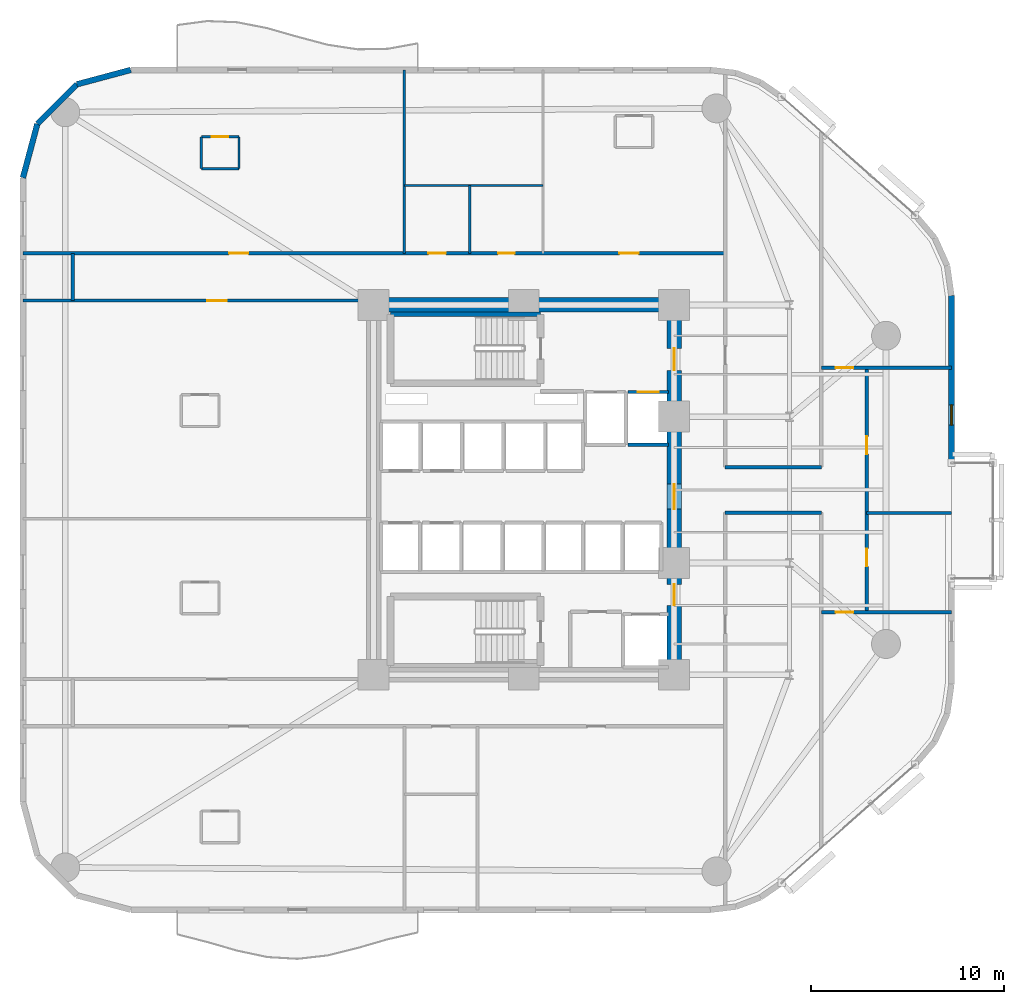
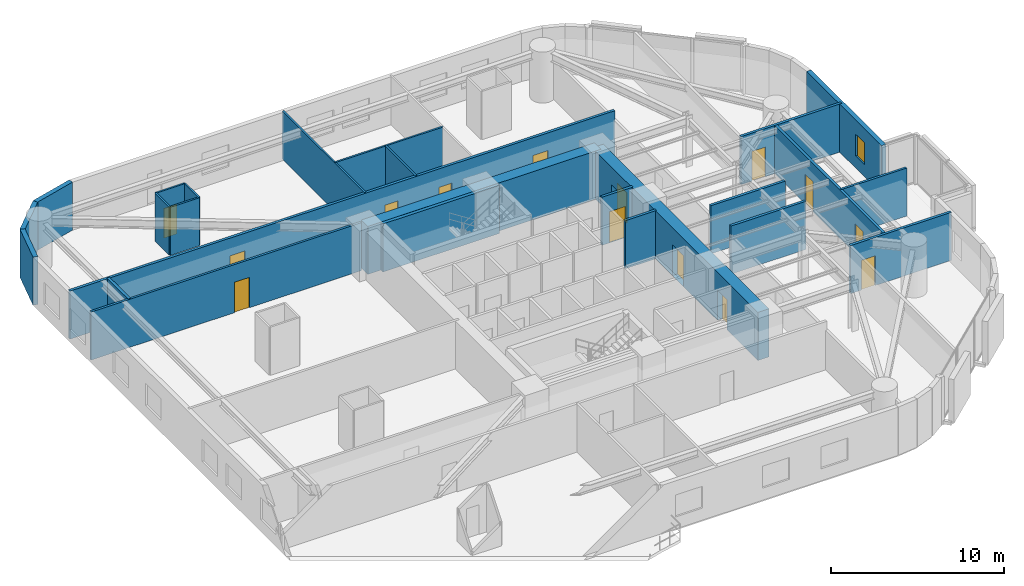
# One storey, part 12 of 16: 25 walls, 14 doors, 1 window, 15 openings.
"""IFC4 building model written with IfcOpenShell, lengths in metres."""

from ifc_helpers import new_model, si_unit, direction, frame, frame_2d, origin, place, context, subcontext, project, spatial, rectangle, extrude, material, layer, layer_set, type_object, element, fill, save


model = new_model("IFC4")

# Units and contexts
model_context = context("Model", 3, precision=1e-05, world=origin(), true_north=direction((0.0, 1.0)))
body_context = subcontext(model_context, "Body", "Model", "MODEL_VIEW")
ifc_project = project(units=[si_unit("LENGTHUNIT", "METRE"), si_unit("AREAUNIT", "SQUARE_METRE"), si_unit("VOLUMEUNIT", "CUBIC_METRE"), si_unit("PLANEANGLEUNIT", "RADIAN"), si_unit("MASSUNIT", "GRAM", prefix="KILO")], contexts=[model_context])

# Site, building, storey
site_placement = place(None, origin())
site = spatial("IfcSite", under=ifc_project, at=site_placement, CompositionType="ELEMENT")
building_placement = place(site_placement, origin())
building = spatial("IfcBuilding", under=site, at=building_placement, Name="An Khanh Terracotta Commons", CompositionType="ELEMENT")
storey_placement = place(building_placement, frame((0.0, 0.0, 57.60009765625)))
storey = spatial("IfcBuildingStorey", under=building, at=storey_placement, Name="L15", CompositionType="ELEMENT", Elevation=57.60009765625)

# Wall
ifc_material_1 = material(Name="Concrete C70/85", Category="concrete")
ifc_layer_1 = layer(ifc_material_1, 0.75, Name="Concrete C70/85")
ifc_layer_set_1 = layer_set([ifc_layer_1], Name="Concrete C70/85")
wall_type_1 = type_object("IfcWallType", Name="WALL-CORE-750", PredefinedType="SHEAR", material=ifc_layer_set_1)
wall_1_placement = place(storey_placement, frame((21.60009765625, 33.60009765625, 0.0), z_axis=(0.0, 0.0, 1.0), x_axis=(1.0, 0.0, 0.0)))
element("IfcWall", 1, at=wall_1_placement, inside=storey, type_object=wall_type_1, Name="L15 Core Wall CWALL-L15-N", PredefinedType="SHEAR", context=body_context, shape_type="SweptSolid", body=[
    extrude(rectangle(XDim=15.599853515625, YDim=0.75, at=frame_2d((7.7998046875, 0.0))), origin(), (0.0, 0.0, 1.0), 3.39990234375),
])

# Wall, openings, doors
wall_2_placement = place(storey_placement, frame((37.199951171875, 14.39990234375, 0.0), z_axis=(0.0, 0.0, 1.0), x_axis=(0.0, 1.0, 0.0)))
wall_2 = element("IfcWall", 2, at=wall_2_placement, inside=storey, type_object=wall_type_1, Name="L15 Core Wall CWALL-L15-E", PredefinedType="SHEAR", context=body_context, shape_type="SweptSolid", body=[
    extrude(rectangle(XDim=19.2001953125, YDim=0.75, at=frame_2d((9.60009765625, 0.0))), origin(), (0.0, 0.0, 1.0), 3.39990234375),
])
opening_1_placement = place(wall_2_placement, frame((15.800048828125, 0.0, 0.0)))
opening_1 = element("IfcOpeningElement", 3, at=opening_1_placement, cuts=wall_2, Name="Opening D-FFL", PredefinedType="OPENING", context=body_context, shape_type="SweptSolid", body=[
    extrude(rectangle(XDim=1.14990234375, YDim=2.14990234375, at=frame_2d((0.574951171875, 1.074951171875))), frame((0.0, 0.385009765625, 0.0), z_axis=(0.0, -1.0, 0.0), x_axis=(1.0, 0.0, 0.0)), (0.0, 0.0, 1.0), 0.77001953125),
])
opening_2_placement = place(wall_2_placement, frame((3.60009765625, 0.0, 0.0)))
opening_2 = element("IfcOpeningElement", 4, at=opening_2_placement, cuts=wall_2, Name="Opening D-ST", PredefinedType="OPENING", context=body_context, shape_type="SweptSolid", body=[
    extrude(rectangle(XDim=1.10009765625, YDim=2.14990234375, at=frame_2d((0.550048828125, 1.074951171875))), frame((0.0, 0.385009765625, 0.0), z_axis=(0.0, -1.0, 0.0), x_axis=(1.0, 0.0, 0.0)), (0.0, 0.0, 1.0), 0.77001953125),
])
opening_3_placement = place(wall_2_placement, frame((8.60009765625, 0.0, 0.0)))
opening_3 = element("IfcOpeningElement", 5, at=opening_3_placement, cuts=wall_2, Name="Opening D-COR", PredefinedType="OPENING", context=body_context, shape_type="SweptSolid", body=[
    extrude(rectangle(XDim=1.300048828125, YDim=2.199951171875, at=frame_2d((0.64990234375, 1.10009765625))), frame((0.0, 0.385009765625, 0.0), z_axis=(0.0, -1.0, 0.0), x_axis=(1.0, 0.0, 0.0)), (0.0, 0.0, 1.0), 0.77001953125),
])
ifc_material_2 = material(Name="Fire-Rated Glazed Steel Double Door", Category="steel")
door_type_1 = type_object("IfcDoorType", Name="DOOR-CORR-1300", OperationType="NOTDEFINED", PredefinedType="DOOR", material=ifc_material_2)
door_1_placement = place(opening_3_placement, origin())
door_1 = element("IfcDoor", 6, at=door_1_placement, inside=storey, type_object=door_type_1, Name="L15 Passenger Lift Lobby Double Door", OperationType="DOUBLE_DOOR_SINGLE_SWING", OverallHeight=2.199951171875, OverallWidth=1.300048828125, PredefinedType="DOOR", context=body_context, shape_type="SweptSolid", body=[
    extrude(rectangle(XDim=1.300048828125, YDim=2.199951171875, at=frame_2d((0.64990234375, 1.10009765625))), frame((0.0, 0.02490234375, 0.0), z_axis=(0.0, -1.0, 0.0), x_axis=(1.0, 0.0, 0.0)), (0.0, 0.0, 1.0), 0.050048828125),
])
fill(opening_3, door_1)
ifc_material_3 = material(Name="Fire-Rated Steel Leaf and Vision Panel", Category="steel")
door_type_2 = type_object("IfcDoorType", Name="DOOR-FFL-1150", OperationType="NOTDEFINED", PredefinedType="DOOR", material=ifc_material_3)
door_2_placement = place(opening_1_placement, origin())
door_2 = element("IfcDoor", 7, at=door_2_placement, inside=storey, type_object=door_type_2, Name="L15 Firefighting Lift Lobby Fire Door", OperationType="SINGLE_SWING_RIGHT", OverallHeight=2.14990234375, OverallWidth=1.14990234375, PredefinedType="DOOR", context=body_context, shape_type="SweptSolid", body=[
    extrude(rectangle(XDim=1.14990234375, YDim=2.14990234375, at=frame_2d((0.574951171875, 1.074951171875))), frame((0.0, 0.02490234375, 0.0), z_axis=(0.0, -1.0, 0.0), x_axis=(1.0, 0.0, 0.0)), (0.0, 0.0, 1.0), 0.050048828125),
])
fill(opening_1, door_2)
ifc_material_4 = material(Name="Fire-Rated Steel Leaf and Frame", Category="steel")
door_type_3 = type_object("IfcDoorType", Name="DOOR-STAIR-1100", OperationType="NOTDEFINED", PredefinedType="DOOR", material=ifc_material_4)
door_3_placement = place(opening_2_placement, origin())
door_3 = element("IfcDoor", 8, at=door_3_placement, inside=storey, type_object=door_type_3, Name="L15 South Stair Lobby Fire Door", OperationType="SINGLE_SWING_LEFT", OverallHeight=2.14990234375, OverallWidth=1.10009765625, PredefinedType="DOOR", context=body_context, shape_type="SweptSolid", body=[
    extrude(rectangle(XDim=1.10009765625, YDim=2.14990234375, at=frame_2d((0.550048828125, 1.074951171875))), frame((0.0, 0.02490234375, 0.0), z_axis=(0.0, -1.0, 0.0), x_axis=(1.0, 0.0, 0.0)), (0.0, 0.0, 1.0), 0.050048828125),
])
fill(opening_2, door_3)

# Wall, opening, door
ifc_material_5 = material(Name="Fire-Rated Gypsum Board on Steel Stud", Category="steel")
ifc_layer_2 = layer(ifc_material_5, 0.179931640625, Name="Fire-Rated Gypsum Board on Steel Stud")
ifc_layer_set_2 = layer_set([ifc_layer_2], Name="Fire-Rated Gypsum Board on Steel Stud")
wall_type_2 = type_object("IfcWallType", Name="WALL-CORR-180", PredefinedType="PARTITIONING", material=ifc_layer_set_2)
wall_3_placement = place(storey_placement, frame((34.820068359375, 29.080078125, 0.0), z_axis=(0.0, 0.0, 1.0), x_axis=(1.0, 0.0, 0.0)))
wall_3 = element("IfcWall", 9, at=wall_3_placement, inside=storey, type_object=wall_type_2, Name="L15 Core Wall LSH-L15-FFL-02-N", PredefinedType="PARTITIONING", context=body_context, shape_type="SweptSolid", body=[
    extrude(rectangle(XDim=2.079833984375, YDim=0.179931640625, at=frame_2d((1.0400390625, 0.0))), origin(), (0.0, 0.0, 1.0), 3.39990234375),
])
opening_4_placement = place(wall_3_placement, frame((0.489990234375, 0.0, 0.0)))
opening_4 = element("IfcOpeningElement", 10, at=opening_4_placement, cuts=wall_3, Name="Opening LD-FFL-02-L15", PredefinedType="OPENING", context=body_context, shape_type="SweptSolid", body=[
    extrude(rectangle(XDim=1.10009765625, YDim=2.199951171875, at=frame_2d((0.550048828125, 1.10009765625))), frame((0.0, 0.099853515625, 0.0), z_axis=(0.0, -1.0, 0.0), x_axis=(1.0, 0.0, 0.0)), (0.0, 0.0, 1.0), 0.199951171875),
])
ifc_material_6 = material(Name="Brushed Stainless Steel Fire Landing Door", Category="steel")
door_type_4 = type_object("IfcDoorType", Name="DOOR-LD-FFL-1100", OperationType="NOTDEFINED", PredefinedType="DOOR", material=ifc_material_6)
door_4_placement = place(opening_4_placement, origin())
door_4 = element("IfcDoor", 11, at=door_4_placement, inside=storey, type_object=door_type_4, Name="L15 Lift FFL-02 Sliding Landing Door", OperationType="DOUBLE_DOOR_SLIDING", OverallHeight=2.199951171875, OverallWidth=1.10009765625, PredefinedType="DOOR", context=body_context, shape_type="SweptSolid", body=[
    extrude(rectangle(XDim=1.10009765625, YDim=2.199951171875, at=frame_2d((0.550048828125, 1.10009765625))), frame((0.0, 0.02490234375, 0.0), z_axis=(0.0, -1.0, 0.0), x_axis=(1.0, 0.0, 0.0)), (0.0, 0.0, 1.0), 0.050048828125),
])
fill(opening_4, door_4)

# Wall
wall_4_placement = place(storey_placement, frame((36.89990234375, 26.35009765625, 0.0), z_axis=(0.0, 0.0, 1.0), x_axis=(-1.0, 0.0, 0.0)))
element("IfcWall", 12, at=wall_4_placement, inside=storey, type_object=wall_type_2, Name="L15 Core Wall LSH-L15-FFL-02-S", PredefinedType="PARTITIONING", context=body_context, shape_type="SweptSolid", body=[
    extrude(rectangle(XDim=2.079833984375, YDim=0.179931640625, at=frame_2d((1.0400390625, 0.0))), origin(), (0.0, 0.0, 1.0), 3.39990234375),
])

# Wall, opening, door
wall_5_placement = place(storey_placement, frame((44.85009765625, 17.64990234375, 0.0), z_axis=(0.0, 0.0, 1.0), x_axis=(1.0, 0.0, 0.0)))
wall_5 = element("IfcWall", 13, at=wall_5_placement, inside=storey, type_object=wall_type_2, Name="L15 Interior Partition IW-L15-E004", PredefinedType="PARTITIONING", context=body_context, shape_type="SweptSolid", body=[
    extrude(rectangle(XDim=6.75, YDim=0.179931640625, at=frame_2d((3.375, 0.0))), origin(), (0.0, 0.0, 1.0), 3.39990234375),
])
opening_5_placement = place(wall_5_placement, frame((0.73291015625, 0.0, 0.0)))
opening_5 = element("IfcOpeningElement", 14, at=opening_5_placement, cuts=wall_5, Name="Opening D-RM", PredefinedType="OPENING", context=body_context, shape_type="SweptSolid", body=[
    extrude(rectangle(XDim=0.919921875, YDim=2.10009765625, at=frame_2d((0.4599609375, 1.050048828125))), frame((0.0, 0.099853515625, 0.0), z_axis=(0.0, -1.0, 0.0), x_axis=(1.0, 0.0, 0.0)), (0.0, 0.0, 1.0), 0.199951171875),
])
ifc_material_7 = material(Name="Engineered Hardwood Timber Leaf", Category="wood")
door_type_5 = type_object("IfcDoorType", Name="DOOR-INT-920", OperationType="NOTDEFINED", PredefinedType="DOOR", material=ifc_material_7)
door_5_placement = place(opening_5_placement, origin())
door_5 = element("IfcDoor", 15, at=door_5_placement, inside=storey, type_object=door_type_5, Name="L15 CAPS Academic Seminar Room Door", OperationType="SINGLE_SWING_RIGHT", OverallHeight=2.10009765625, OverallWidth=0.919921875, PredefinedType="DOOR", context=body_context, shape_type="SweptSolid", body=[
    extrude(rectangle(XDim=0.919921875, YDim=2.10009765625, at=frame_2d((0.4599609375, 1.050048828125))), frame((0.0, 0.02490234375, 0.0), z_axis=(0.0, -1.0, 0.0), x_axis=(1.0, 0.0, 0.0)), (0.0, 0.0, 1.0), 0.050048828125),
])
fill(opening_5, door_5)

# Walls
for number, where, z_axis, x_axis, name in (
    (16, (39.85009765625, 22.820068359375, 0.0), (0.0, 0.0, 1.0), (1.0, 0.0, 0.0), "L15 Interior Partition IW-L15-E006"),
    (17, (39.85009765625, 25.179931640625, 0.0), (0.0, 0.0, 1.0), (1.0, 0.0, 0.0), "L15 Interior Partition IW-L15-E008"),
):
    element("IfcWall", number, at=place(storey_placement, frame(where, z_axis=z_axis, x_axis=x_axis)), inside=storey, type_object=wall_type_2, Name=name, PredefinedType="PARTITIONING", context=body_context, shape_type="SweptSolid", body=[
        extrude(rectangle(XDim=5.0, YDim=0.179931640625, at=frame_2d((2.5, 0.0))), origin(), (0.0, 0.0, 1.0), 3.39990234375),
    ])

# Wall, opening, door
wall_6_placement = place(storey_placement, frame((44.85009765625, 30.35009765625, 0.0), z_axis=(0.0, 0.0, 1.0), x_axis=(1.0, 0.0, 0.0)))
wall_6 = element("IfcWall", 18, at=wall_6_placement, inside=storey, type_object=wall_type_2, Name="L15 Interior Partition IW-L15-E009", PredefinedType="PARTITIONING", context=body_context, shape_type="SweptSolid", body=[
    extrude(rectangle(XDim=6.75, YDim=0.179931640625, at=frame_2d((3.375, 0.0))), origin(), (0.0, 0.0, 1.0), 3.39990234375),
])
opening_6_placement = place(wall_6_placement, frame((0.73291015625, 0.0, 0.0)))
opening_6 = element("IfcOpeningElement", 19, at=opening_6_placement, cuts=wall_6, Name="Opening D-RM", PredefinedType="OPENING", context=body_context, shape_type="SweptSolid", body=[
    extrude(rectangle(XDim=0.919921875, YDim=2.10009765625, at=frame_2d((0.4599609375, 1.050048828125))), frame((0.0, 0.099853515625, 0.0), z_axis=(0.0, -1.0, 0.0), x_axis=(1.0, 0.0, 0.0)), (0.0, 0.0, 1.0), 0.199951171875),
])
door_6_placement = place(opening_6_placement, origin())
door_6 = element("IfcDoor", 20, at=door_6_placement, inside=storey, type_object=door_type_5, Name="L15 CAPN Academic Seminar Room Door", OperationType="SINGLE_SWING_LEFT", OverallHeight=2.10009765625, OverallWidth=0.919921875, PredefinedType="DOOR", context=body_context, shape_type="SweptSolid", body=[
    extrude(rectangle(XDim=0.919921875, YDim=2.10009765625, at=frame_2d((0.4599609375, 1.050048828125))), frame((0.0, 0.02490234375, 0.0), z_axis=(0.0, -1.0, 0.0), x_axis=(1.0, 0.0, 0.0)), (0.0, 0.0, 1.0), 0.050048828125),
])
fill(opening_6, door_6)

# Wall, openings, doors
wall_7_placement = place(storey_placement, frame((3.39990234375, 36.280029296875, 0.0), z_axis=(0.0, 0.0, 1.0), x_axis=(1.0, 0.0, 0.0)))
wall_7 = element("IfcWall", 21, at=wall_7_placement, inside=storey, type_object=wall_type_2, Name="L15 Interior Partition IW-L15-E011", PredefinedType="PARTITIONING", context=body_context, shape_type="SweptSolid", body=[
    extrude(rectangle(XDim=36.4501953125, YDim=0.179931640625, at=frame_2d((18.22509765625, 0.0))), origin(), (0.0, 0.0, 1.0), 3.39990234375),
])
opening_7_placement = place(wall_7_placement, frame((21.050048828125, 0.0, 0.0)))
opening_7 = element("IfcOpeningElement", 22, at=opening_7_placement, cuts=wall_7, Name="Opening D-WC", PredefinedType="OPENING", context=body_context, shape_type="SweptSolid", body=[
    extrude(rectangle(XDim=0.89990234375, YDim=2.10009765625, at=frame_2d((0.449951171875, 1.050048828125))), frame((0.0, 0.099853515625, 0.0), z_axis=(0.0, -1.0, 0.0), x_axis=(1.0, 0.0, 0.0)), (0.0, 0.0, 1.0), 0.199951171875),
])
opening_8_placement = place(wall_7_placement, frame((24.669921875, 0.0, 0.0)))
opening_8 = element("IfcOpeningElement", 23, at=opening_8_placement, cuts=wall_7, Name="Opening D-ENS", PredefinedType="OPENING", context=body_context, shape_type="SweptSolid", body=[
    extrude(rectangle(XDim=0.860107421875, YDim=2.10009765625, at=frame_2d((0.43017578125, 1.050048828125))), frame((0.0, 0.099853515625, 0.0), z_axis=(0.0, -1.0, 0.0), x_axis=(1.0, 0.0, 0.0)), (0.0, 0.0, 1.0), 0.199951171875),
])
opening_9_placement = place(wall_7_placement, frame((10.699951171875, 0.0, 0.0)))
opening_9 = element("IfcOpeningElement", 24, at=opening_9_placement, cuts=wall_7, Name="Opening D-UN", PredefinedType="OPENING", context=body_context, shape_type="SweptSolid", body=[
    extrude(rectangle(XDim=1.0, YDim=2.14990234375, at=frame_2d((0.5, 1.074951171875))), frame((0.0, 0.099853515625, 0.0), z_axis=(0.0, -1.0, 0.0), x_axis=(1.0, 0.0, 0.0)), (0.0, 0.0, 1.0), 0.199951171875),
])
opening_10_placement = place(wall_7_placement, frame((30.965087890625, 0.0, 0.0)))
opening_10 = element("IfcOpeningElement", 25, at=opening_10_placement, cuts=wall_7, Name="Opening D-UN", PredefinedType="OPENING", context=body_context, shape_type="SweptSolid", body=[
    extrude(rectangle(XDim=1.0, YDim=2.14990234375, at=frame_2d((0.5, 1.074951171875))), frame((0.0, 0.099853515625, 0.0), z_axis=(0.0, -1.0, 0.0), x_axis=(1.0, 0.0, 0.0)), (0.0, 0.0, 1.0), 0.199951171875),
])
ifc_material_8 = material(Name="Moisture-Resistant Hardwood Timber Leaf", Category="wood")
door_type_6 = type_object("IfcDoorType", Name="DOOR-BATH-860", OperationType="NOTDEFINED", PredefinedType="DOOR", material=ifc_material_8)
door_7_placement = place(opening_8_placement, origin())
door_7 = element("IfcDoor", 26, at=door_7_placement, inside=storey, type_object=door_type_6, Name="L15 SHW Resident Shared Shower and Washroom Door", OperationType="SINGLE_SWING_LEFT", OverallHeight=2.10009765625, OverallWidth=0.860107421875, PredefinedType="DOOR", context=body_context, shape_type="SweptSolid", body=[
    extrude(rectangle(XDim=0.860107421875, YDim=2.10009765625, at=frame_2d((0.43017578125, 1.050048828125))), frame((0.0, 0.02490234375, 0.0), z_axis=(0.0, -1.0, 0.0), x_axis=(1.0, 0.0, 0.0)), (0.0, 0.0, 1.0), 0.050048828125),
])
fill(opening_8, door_7)
ifc_material_9 = material(Name="Solid-Core Hardwood Acoustic Fire Door", Category="wood")
door_type_7 = type_object("IfcDoorType", Name="DOOR-UNIT-1000", OperationType="NOTDEFINED", PredefinedType="DOOR", material=ifc_material_9)
door_8_placement = place(opening_9_placement, origin())
door_8 = element("IfcDoor", 27, at=door_8_placement, inside=storey, type_object=door_type_7, Name="L15 NW1 Kitchenette and Studio Apartment Door", OperationType="SINGLE_SWING_LEFT", OverallHeight=2.14990234375, OverallWidth=1.0, PredefinedType="DOOR", context=body_context, shape_type="SweptSolid", body=[
    extrude(rectangle(XDim=1.0, YDim=2.14990234375, at=frame_2d((0.5, 1.074951171875))), frame((0.0, 0.02490234375, 0.0), z_axis=(0.0, -1.0, 0.0), x_axis=(1.0, 0.0, 0.0)), (0.0, 0.0, 1.0), 0.050048828125),
])
fill(opening_9, door_8)
door_9_placement = place(opening_10_placement, origin())
door_9 = element("IfcDoor", 28, at=door_9_placement, inside=storey, type_object=door_type_7, Name="L15 NWE Kitchenette and Studio Apartment Door", OperationType="SINGLE_SWING_RIGHT", OverallHeight=2.14990234375, OverallWidth=1.0, PredefinedType="DOOR", context=body_context, shape_type="SweptSolid", body=[
    extrude(rectangle(XDim=1.0, YDim=2.14990234375, at=frame_2d((0.5, 1.074951171875))), frame((0.0, 0.02490234375, 0.0), z_axis=(0.0, -1.0, 0.0), x_axis=(1.0, 0.0, 0.0)), (0.0, 0.0, 1.0), 0.050048828125),
])
fill(opening_10, door_9)
ifc_material_10 = material(Name="Laminate Moisture-Resistant Timber Leaf", Category="wood")
door_type_8 = type_object("IfcDoorType", Name="DOOR-WC-900", OperationType="NOTDEFINED", PredefinedType="DOOR", material=ifc_material_10)
door_10_placement = place(opening_7_placement, origin())
door_10 = element("IfcDoor", 29, at=door_10_placement, inside=storey, type_object=door_type_8, Name="L15 AWC Accessible WC Door", OperationType="SINGLE_SWING_RIGHT", OverallHeight=2.10009765625, OverallWidth=0.89990234375, PredefinedType="DOOR", context=body_context, shape_type="SweptSolid", body=[
    extrude(rectangle(XDim=0.89990234375, YDim=2.10009765625, at=frame_2d((0.449951171875, 1.050048828125))), frame((0.0, 0.02490234375, 0.0), z_axis=(0.0, -1.0, 0.0), x_axis=(1.0, 0.0, 0.0)), (0.0, 0.0, 1.0), 0.050048828125),
])
fill(opening_7, door_10)

# Wall
wall_8_placement = place(storey_placement, frame((6.0, 33.820068359375, 0.0), z_axis=(0.0, 0.0, 1.0), x_axis=(0.0, 1.0, 0.0)))
element("IfcWall", 30, at=wall_8_placement, inside=storey, type_object=wall_type_2, Name="L15 Interior Partition IW-L15-E014", PredefinedType="PARTITIONING", context=body_context, shape_type="SweptSolid", body=[
    extrude(rectangle(XDim=2.4599609375, YDim=0.179931640625, at=frame_2d((1.22998046875, 0.0))), origin(), (0.0, 0.0, 1.0), 3.39990234375),
])

# Wall, openings, doors
wall_9_placement = place(storey_placement, frame((47.199951171875, 17.64990234375, 0.0), z_axis=(0.0, 0.0, 1.0), x_axis=(0.0, 1.0, 0.0)))
wall_9 = element("IfcWall", 31, at=wall_9_placement, inside=storey, type_object=wall_type_2, Name="L15 Interior Partition IW-L15-E024", PredefinedType="PARTITIONING", context=body_context, shape_type="SweptSolid", body=[
    extrude(rectangle(XDim=12.7001953125, YDim=0.179931640625, at=frame_2d((6.35009765625, 0.0))), origin(), (0.0, 0.0, 1.0), 3.39990234375),
])
opening_11_placement = place(wall_9_placement, frame((8.205078125, 0.0, 0.0)))
opening_11 = element("IfcOpeningElement", 32, at=opening_11_placement, cuts=wall_9, Name="Opening D-RM", PredefinedType="OPENING", context=body_context, shape_type="SweptSolid", body=[
    extrude(rectangle(XDim=0.919921875, YDim=2.10009765625, at=frame_2d((0.4599609375, 1.050048828125))), frame((0.0, 0.099853515625, 0.0), z_axis=(0.0, -1.0, 0.0), x_axis=(1.0, 0.0, 0.0)), (0.0, 0.0, 1.0), 0.199951171875),
])
opening_12_placement = place(wall_9_placement, frame((2.375, 0.0, 0.0)))
opening_12 = element("IfcOpeningElement", 33, at=opening_12_placement, cuts=wall_9, Name="Opening D-RM", PredefinedType="OPENING", context=body_context, shape_type="SweptSolid", body=[
    extrude(rectangle(XDim=0.919921875, YDim=2.10009765625, at=frame_2d((0.4599609375, 1.050048828125))), frame((0.0, 0.099853515625, 0.0), z_axis=(0.0, -1.0, 0.0), x_axis=(1.0, 0.0, 0.0)), (0.0, 0.0, 1.0), 0.199951171875),
])
door_11_placement = place(opening_11_placement, origin())
door_11 = element("IfcDoor", 34, at=door_11_placement, inside=storey, type_object=door_type_5, Name="L15 EF1 Quiet Focus Office Door", OperationType="SINGLE_SWING_LEFT", OverallHeight=2.10009765625, OverallWidth=0.919921875, PredefinedType="DOOR", context=body_context, shape_type="SweptSolid", body=[
    extrude(rectangle(XDim=0.919921875, YDim=2.10009765625, at=frame_2d((0.4599609375, 1.050048828125))), frame((0.0, 0.02490234375, 0.0), z_axis=(0.0, -1.0, 0.0), x_axis=(1.0, 0.0, 0.0)), (0.0, 0.0, 1.0), 0.050048828125),
])
fill(opening_11, door_11)
door_12_placement = place(opening_12_placement, origin())
door_12 = element("IfcDoor", 35, at=door_12_placement, inside=storey, type_object=door_type_5, Name="L15 EF2 Riverfront Study Lounge Door", OperationType="SINGLE_SWING_RIGHT", OverallHeight=2.10009765625, OverallWidth=0.919921875, PredefinedType="DOOR", context=body_context, shape_type="SweptSolid", body=[
    extrude(rectangle(XDim=0.919921875, YDim=2.10009765625, at=frame_2d((0.4599609375, 1.050048828125))), frame((0.0, 0.02490234375, 0.0), z_axis=(0.0, -1.0, 0.0), x_axis=(1.0, 0.0, 0.0)), (0.0, 0.0, 1.0), 0.050048828125),
])
fill(opening_12, door_12)

# Wall, opening, window
ifc_material_11 = material(Name="Precast concrete C40/50", Category="concrete")
ifc_layer_3 = layer(ifc_material_11, 0.300048828125, Name="Precast concrete C40/50")
ifc_layer_set_3 = layer_set([ifc_layer_3], Name="Precast concrete C40/50")
wall_type_3 = type_object("IfcWallType", Name="WALL-EXT-300", PredefinedType="SOLIDWALL", material=ifc_layer_set_3)
wall_10_placement = place(storey_placement, frame((51.60009765625, 25.39990234375, 0.0), z_axis=(0.0, 0.0, 1.0), x_axis=(0.0, 1.0, 0.0)))
wall_10 = element("IfcWall", 36, at=wall_10_placement, inside=storey, type_object=wall_type_3, Name="L15 East Nose Wall North", PredefinedType="SOLIDWALL", context=body_context, shape_type="SweptSolid", body=[
    extrude(rectangle(XDim=8.677001953125, YDim=0.300048828125, at=frame_2d((4.33837890625, 0.0))), origin(), (0.0, 0.0, 1.0), 3.39990234375),
])
opening_13_placement = place(wall_10_placement, frame((1.964111328125, 0.0, 0.85009765625)))
opening_13 = element("IfcOpeningElement", 37, at=opening_13_placement, cuts=wall_10, Name="Opening W-06", PredefinedType="OPENING", context=body_context, shape_type="SweptSolid", body=[
    extrude(rectangle(XDim=1.050048828125, YDim=1.550048828125, at=frame_2d((0.52490234375, 0.77490234375))), frame((0.0, 0.159912109375, 0.0), z_axis=(0.0, -1.0, 0.0), x_axis=(1.0, 0.0, 0.0)), (0.0, 0.0, 1.0), 0.320068359375),
])
ifc_material_12 = material(Name="Thermally Broken Aluminium and Low-E Glass", Category="aluminium")
window_type = type_object("IfcWindowType", Name="WIN-COR-1050x1550", PartitioningType="SINGLE_PANEL", PredefinedType="WINDOW", material=ifc_material_12)
window_placement = place(opening_13_placement, origin())
window = element("IfcWindow", 38, at=window_placement, inside=storey, type_object=window_type, Name="L15 East Nose North Casement Window", OverallHeight=1.550048828125, OverallWidth=1.050048828125, PartitioningType="SINGLE_PANEL", PredefinedType="WINDOW", context=body_context, shape_type="SweptSolid", body=[
    extrude(rectangle(XDim=1.050048828125, YDim=1.550048828125, at=frame_2d((0.52490234375, 0.77490234375))), frame((0.0, 0.030029296875, 0.0), z_axis=(0.0, -1.0, 0.0), x_axis=(1.0, 0.0, 0.0)), (0.0, 0.0, 1.0), 0.06005859375),
])
fill(opening_13, window)

# Walls
wall_11_placement = place(storey_placement, frame((9.0, 45.800048828125, 0.0), z_axis=(0.0, 0.0, 1.0), x_axis=(-0.96594917914, -0.258731875344, 0.0)))
element("IfcWall", 39, at=wall_11_placement, inside=storey, type_object=wall_type_3, Name="L15 Insulated Terracotta Exterior Wall 21", PredefinedType="SOLIDWALL", context=body_context, shape_type="SweptSolid", body=[
    extrude(rectangle(XDim=2.898681640625, YDim=0.300048828125, at=frame_2d((1.44921875, 0.0))), origin(), (0.0, 0.0, 1.0), 3.39990234375),
])
wall_12_placement = place(storey_placement, frame((6.199951171875, 45.050048828125, 0.0), z_axis=(0.0, 0.0, 1.0), x_axis=(-0.707106781187, -0.707106781187, 0.0)))
element("IfcWall", 40, at=wall_12_placement, inside=storey, type_object=wall_type_3, Name="L15 Insulated Terracotta Exterior Wall 22", PredefinedType="SOLIDWALL", context=body_context, shape_type="SweptSolid", body=[
    extrude(rectangle(XDim=2.899169921875, YDim=0.300048828125, at=frame_2d((1.44970703125, 0.0))), origin(), (0.0, 0.0, 1.0), 3.39990234375),
])
wall_13_placement = place(storey_placement, frame((4.14990234375, 43.0, 0.0), z_axis=(0.0, 0.0, 1.0), x_axis=(-0.258731875344, -0.96594917914, 0.0)))
element("IfcWall", 41, at=wall_13_placement, inside=storey, type_object=wall_type_3, Name="L15 Insulated Terracotta Exterior Wall 23", PredefinedType="SOLIDWALL", context=body_context, shape_type="SweptSolid", body=[
    extrude(rectangle(XDim=2.898681640625, YDim=0.300048828125, at=frame_2d((1.44921875, 0.0))), origin(), (0.0, 0.0, 1.0), 3.39990234375),
])
ifc_material_13 = material(Name="Acoustic Gypsum Board Partition")
ifc_layer_4 = layer(ifc_material_13, 0.14990234375, Name="Acoustic Gypsum Board Partition")
ifc_layer_set_4 = layer_set([ifc_layer_4], Name="Acoustic Gypsum Board Partition")
wall_type_4 = type_object("IfcWallType", Name="WALL-PART-150", PredefinedType="PARTITIONING", material=ifc_layer_set_4)
wall_14_placement = place(storey_placement, frame((47.199951171875, 22.800048828125, 0.0), z_axis=(0.0, 0.0, 1.0), x_axis=(1.0, 0.0, 0.0)))
element("IfcWall", 42, at=wall_14_placement, inside=storey, type_object=wall_type_4, Name="L15 Interior Partition IW-L15-E007", PredefinedType="PARTITIONING", context=body_context, shape_type="SweptSolid", body=[
    extrude(rectangle(XDim=4.400146484375, YDim=0.14990234375, at=frame_2d((2.2001953125, 0.0))), origin(), (0.0, 0.0, 1.0), 3.39990234375),
])

# Wall, opening, door
wall_15_placement = place(storey_placement, frame((3.39990234375, 33.820068359375, 0.0), z_axis=(0.0, 0.0, 1.0), x_axis=(1.0, 0.0, 0.0)))
wall_15 = element("IfcWall", 43, at=wall_15_placement, inside=storey, type_object=wall_type_4, Name="L15 Interior Partition IW-L15-E010", PredefinedType="PARTITIONING", context=body_context, shape_type="SweptSolid", body=[
    extrude(rectangle(XDim=18.080078125, YDim=0.14990234375, at=frame_2d((9.0400390625, 0.0))), origin(), (0.0, 0.0, 1.0), 3.39990234375),
])
opening_14_placement = place(wall_15_placement, frame((9.580078125, 0.0, 0.0)))
opening_14 = element("IfcOpeningElement", 44, at=opening_14_placement, cuts=wall_15, Name="Opening D-UN", PredefinedType="OPENING", context=body_context, shape_type="SweptSolid", body=[
    extrude(rectangle(XDim=1.0, YDim=2.14990234375, at=frame_2d((0.5, 1.074951171875))), frame((0.0, 0.0849609375, 0.0), z_axis=(0.0, -1.0, 0.0), x_axis=(1.0, 0.0, 0.0)), (0.0, 0.0, 1.0), 0.169921875),
])
door_13_placement = place(opening_14_placement, origin())
door_13 = element("IfcDoor", 45, at=door_13_placement, inside=storey, type_object=door_type_7, Name="L15 WW2 Kitchenette and Studio Apartment Door", OperationType="SINGLE_SWING_RIGHT", OverallHeight=2.14990234375, OverallWidth=1.0, PredefinedType="DOOR", context=body_context, shape_type="SweptSolid", body=[
    extrude(rectangle(XDim=1.0, YDim=2.14990234375, at=frame_2d((0.5, 1.074951171875))), frame((0.0, 0.02490234375, 0.0), z_axis=(0.0, -1.0, 0.0), x_axis=(1.0, 0.0, 0.0)), (0.0, 0.0, 1.0), 0.050048828125),
])
fill(opening_14, door_13)

# Wall
ifc_material_14 = material(Name="Acoustic Double-Stud Gypsum and Mineral Wool")
ifc_layer_5 = layer(ifc_material_14, 0.219970703125, Name="Acoustic Double-Stud Gypsum and Mineral Wool")
ifc_layer_set_5 = layer_set([ifc_layer_5], Name="Acoustic Double-Stud Gypsum and Mineral Wool")
wall_type_5 = type_object("IfcWallType", Name="WALL-PARTY-220", PredefinedType="PARTITIONING", material=ifc_layer_set_5)
wall_16_placement = place(storey_placement, frame((22.47998046875, 33.110107421875, 0.0), z_axis=(0.0, 0.0, 1.0), x_axis=(1.0, 0.0, 0.0)))
element("IfcWall", 46, at=wall_16_placement, inside=storey, type_object=wall_type_5, Name="L15 Core Wall STW-L15-N-N", PredefinedType="PARTITIONING", context=body_context, shape_type="SweptSolid", body=[
    extrude(rectangle(XDim=7.7900390625, YDim=0.219970703125, at=frame_2d((3.89501953125, 0.0))), origin(), (0.0, 0.0, 1.0), 3.39990234375),
])

# Wall, opening, door
ifc_material_15 = material(Name="Moisture-Resistant Cement Board Partition")
ifc_layer_6 = layer(ifc_material_15, 0.1201171875, Name="Moisture-Resistant Cement Board Partition")
ifc_layer_set_6 = layer_set([ifc_layer_6], Name="Moisture-Resistant Cement Board Partition")
wall_type_6 = type_object("IfcWallType", Name="WALL-WET-120", PredefinedType="PARTITIONING", material=ifc_layer_set_6)
wall_17_placement = place(storey_placement, frame((12.6640625, 42.321044921875, 0.0), z_axis=(0.0, 0.0, 1.0), x_axis=(1.0, 0.0, 0.0)))
wall_17 = element("IfcWall", 47, at=wall_17_placement, inside=storey, type_object=wall_type_6, Name="L15 Interior Partition IW-L15-NW1-BN", PredefinedType="PARTITIONING", context=body_context, shape_type="SweptSolid", body=[
    extrude(rectangle(XDim=1.949951171875, YDim=0.1201171875, at=frame_2d((0.97509765625, 0.0))), origin(), (0.0, 0.0, 1.0), 3.39990234375),
])
opening_15_placement = place(wall_17_placement, frame((0.544921875, 0.0, 0.0)))
opening_15 = element("IfcOpeningElement", 48, at=opening_15_placement, cuts=wall_17, Name="Opening D-ENS", PredefinedType="OPENING", context=body_context, shape_type="SweptSolid", body=[
    extrude(rectangle(XDim=0.860107421875, YDim=2.10009765625, at=frame_2d((0.43017578125, 1.050048828125))), frame((0.0, 0.070068359375, 0.0), z_axis=(0.0, -1.0, 0.0), x_axis=(1.0, 0.0, 0.0)), (0.0, 0.0, 1.0), 0.14013671875),
])
door_14_placement = place(opening_15_placement, origin())
door_14 = element("IfcDoor", 49, at=door_14_placement, inside=storey, type_object=door_type_6, Name="L15 Studio NW1 En-suite Door", OperationType="SINGLE_SWING_LEFT", OverallHeight=2.10009765625, OverallWidth=0.860107421875, PredefinedType="DOOR", context=body_context, shape_type="SweptSolid", body=[
    extrude(rectangle(XDim=0.860107421875, YDim=2.10009765625, at=frame_2d((0.43017578125, 1.050048828125))), frame((0.0, 0.02490234375, 0.0), z_axis=(0.0, -1.0, 0.0), x_axis=(1.0, 0.0, 0.0)), (0.0, 0.0, 1.0), 0.050048828125),
])
fill(opening_15, door_14)

# Walls
wall_18_placement = place(storey_placement, frame((14.614013671875, 40.6708984375, 0.0), z_axis=(0.0, 0.0, 1.0), x_axis=(-1.0, 0.0, 0.0)))
element("IfcWall", 50, at=wall_18_placement, inside=storey, type_object=wall_type_6, Name="L15 Interior Partition IW-L15-NW1-BS", PredefinedType="PARTITIONING", context=body_context, shape_type="SweptSolid", body=[
    extrude(rectangle(XDim=1.949951171875, YDim=0.1201171875, at=frame_2d((0.97509765625, 0.0))), origin(), (0.0, 0.0, 1.0), 3.39990234375),
])
for number, where, z_axis, x_axis, name in (
    (51, (12.6640625, 42.321044921875, 0.0), (0.0, 0.0, 1.0), (0.0, -1.0, 0.0), "L15 Interior Partition IW-L15-NW1-BW"),
    (52, (14.614013671875, 40.6708984375, 0.0), (0.0, 0.0, 1.0), (0.0, 1.0, 0.0), "L15 Interior Partition IW-L15-NW1-BE"),
):
    element("IfcWall", number, at=place(storey_placement, frame(where, z_axis=z_axis, x_axis=x_axis)), inside=storey, type_object=wall_type_6, Name=name, PredefinedType="PARTITIONING", context=body_context, shape_type="SweptSolid", body=[
        extrude(rectangle(XDim=1.650146484375, YDim=0.1201171875, at=frame_2d((0.8251953125, 0.0))), origin(), (0.0, 0.0, 1.0), 3.39990234375),
    ])
wall_19_placement = place(storey_placement, frame((23.199951171875, 39.800048828125, 0.0), z_axis=(0.0, 0.0, 1.0), x_axis=(1.0, 0.0, 0.0)))
element("IfcWall", 53, at=wall_19_placement, inside=storey, type_object=wall_type_6, Name="L15 Interior Partition IW-L15-E012", PredefinedType="PARTITIONING", context=body_context, shape_type="SweptSolid", body=[
    extrude(rectangle(XDim=7.199951171875, YDim=0.1201171875, at=frame_2d((3.60009765625, 0.0))), origin(), (0.0, 0.0, 1.0), 3.39990234375),
])
wall_20_placement = place(storey_placement, frame((23.199951171875, 36.280029296875, 0.0), z_axis=(0.0, 0.0, 1.0), x_axis=(0.0, 1.0, 0.0)))
element("IfcWall", 54, at=wall_20_placement, inside=storey, type_object=wall_type_6, Name="L15 Interior Partition IW-L15-E016", PredefinedType="PARTITIONING", context=body_context, shape_type="SweptSolid", body=[
    extrude(rectangle(XDim=9.52001953125, YDim=0.1201171875, at=frame_2d((4.760009765625, 0.0))), origin(), (0.0, 0.0, 1.0), 3.39990234375),
])
wall_21_placement = place(storey_placement, frame((26.60009765625, 36.280029296875, 0.0), z_axis=(0.0, 0.0, 1.0), x_axis=(0.0, 1.0, 0.0)))
element("IfcWall", 55, at=wall_21_placement, inside=storey, type_object=wall_type_6, Name="L15 Interior Partition IW-L15-E017", PredefinedType="PARTITIONING", context=body_context, shape_type="SweptSolid", body=[
    extrude(rectangle(XDim=3.52001953125, YDim=0.1201171875, at=frame_2d((1.760009765625, 0.0))), origin(), (0.0, 0.0, 1.0), 3.39990234375),
])

save(model, "model.ifc")
